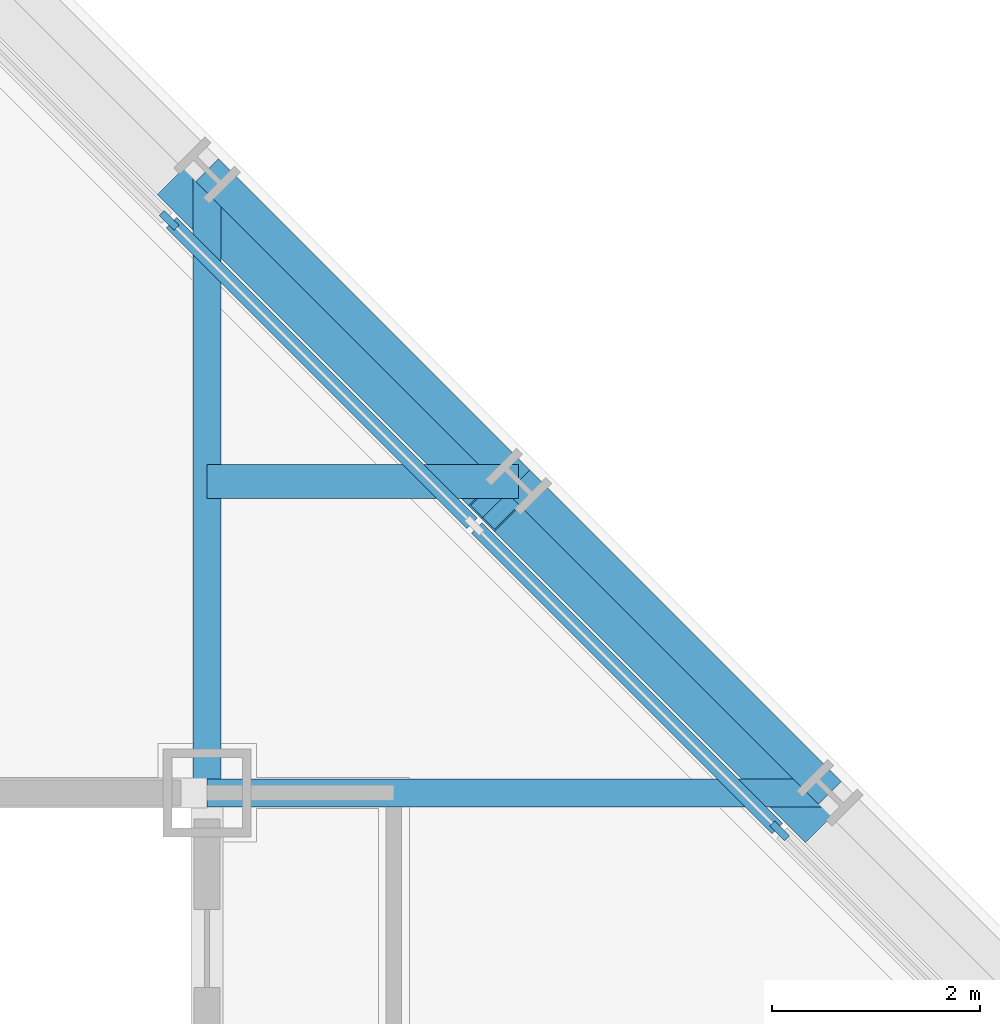
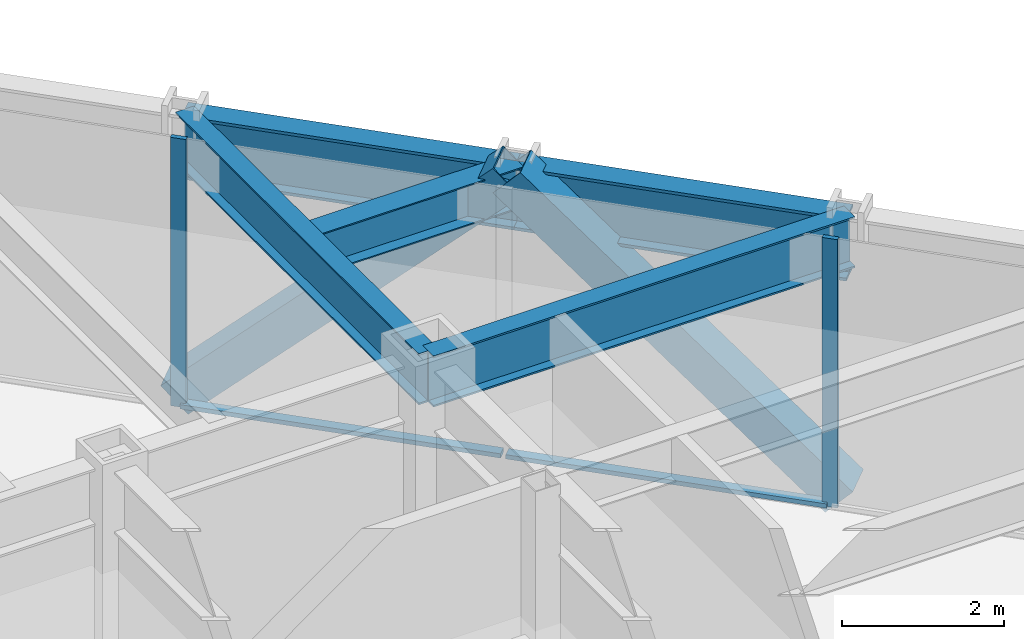
# One storey, part 8 of 16: 6 members, 5 beams, 1 element without a shape of its own.
"""IFC4 building model written with IfcOpenShell, lengths in metres."""

from ifc_helpers import new_model, si_unit, direction, frame, origin, origin_2d, place, context, subcontext, project, spatial, rectangle, hollow_rectangle, i_section, extrude, material, layer, layer_set, material_profile, profile_set, type_object, element, aggregate, save


model = new_model("IFC4")

# Units and contexts
model_context = context("Model", 3, precision=1e-05, world=origin(), true_north=direction((0.0, 1.0)))
body_context = subcontext(model_context, "Body", "Model", "MODEL_VIEW")
ifc_project = project(units=[si_unit("LENGTHUNIT", "METRE"), si_unit("AREAUNIT", "SQUARE_METRE"), si_unit("VOLUMEUNIT", "CUBIC_METRE"), si_unit("PLANEANGLEUNIT", "RADIAN"), si_unit("MASSUNIT", "GRAM", prefix="KILO")], contexts=[model_context])

# Site, building, storey
site_placement = place(None, origin())
site = spatial("IfcSite", under=ifc_project, at=site_placement, CompositionType="ELEMENT")
building_placement = place(site_placement, origin())
building = spatial("IfcBuilding", under=site, at=building_placement, Name="Chuquiago Exchange Tower", CompositionType="ELEMENT")
storey_placement = place(building_placement, frame((0.0, 0.0, 153.0)))
storey = spatial("IfcBuildingStorey", under=building, at=storey_placement, Name="L33", CompositionType="ELEMENT", Elevation=153.0)

# Beam
ifc_material_1 = material(Name="Steel ASTM A992", Category="steel")
ifc_material_profile_1 = material_profile(ifc_material_1, i_section(OverallWidth=0.3251953125, OverallDepth=0.612060546875, WebThickness=0.0126953125, FlangeThickness=0.01904296875, at=origin_2d()), Name="W24X104")
ifc_profile_set_1 = profile_set([ifc_material_profile_1], Name="Steel ASTM A992")
beam_type_1 = type_object("IfcBeamType", Name="B2 W24X104", PredefinedType="BEAM", material=ifc_profile_set_1)
beam_placement = place(storey_placement, frame((33.0, 36.0, 3.73388671875), z_axis=(1.0, 0.0, 0.0), x_axis=(0.0, 1.0, 0.0)))
element("IfcBeam", 1, at=beam_placement, inside=storey, type_object=beam_type_1, Name="FB-L34-corner-33_36-36_36-0", PredefinedType="BEAM", context=body_context, shape_type="SweptSolid", body=[
    extrude(i_section(OverallWidth=0.3251953125, OverallDepth=0.612060546875, WebThickness=0.0126953125, FlangeThickness=0.01904296875, at=origin_2d()), origin(), (0.0, 0.0, 1.0), 3.0),
])

# Curtain wall, members
ifc_material_2 = material(Name="Aluminium curtain wall system", Category="aluminium")
ifc_layer = layer(ifc_material_2, 0.199951171875)
ifc_layer_set = layer_set([ifc_layer], Name="CW3 facet curtain wall")
curtain_wall_type = type_object("IfcCurtainWallType", Name="CW3 facet curtain wall", PredefinedType="NOTDEFINED", material=ifc_layer_set)
curtain_wall_placement = place(storey_placement, origin())
curtain_wall = element("IfcCurtainWall", 2, at=curtain_wall_placement, inside=storey, type_object=curtain_wall_type, Name="CW3 curtain wall L33", PredefinedType="NOTDEFINED")
ifc_material_3 = material(Name="Aluminium mullion, pale anodised", Category="aluminium")
ifc_material_profile_2 = material_profile(ifc_material_3, rectangle(XDim=0.06494140625, YDim=0.199951171875, at=origin_2d()), Name="AL 65x200")
ifc_profile_set_2 = profile_set([ifc_material_profile_2], Name="Aluminium mullion, pale anodised")
member_type_1 = type_object("IfcMemberType", Name="CW3-M mullion 65x200", PredefinedType="MULLION", material=ifc_profile_set_2)
member_1_placement = place(storey_placement, frame((38.51708984375, 32.63427734375, 0.0), z_axis=(0.0, 0.0, 1.0), x_axis=(-0.707106781187, -0.707106781187, 0.0)))
member_1 = element("IfcMember", 3, at=member_1_placement, type_object=member_type_1, Name="CW3 mullion 3", PredefinedType="MULLION", context=body_context, shape_type="SweptSolid", body=[
    extrude(rectangle(XDim=0.06494140625, YDim=0.199951171875, at=origin_2d()), origin(), (0.0, 0.0, 1.0), 4.0400390625),
])
member_2_placement = place(storey_placement, frame((32.63427734375, 38.51708984375, 0.0), z_axis=(0.0, 0.0, 1.0), x_axis=(-0.707106781187, -0.707106781187, 0.0)))
member_2 = element("IfcMember", 4, at=member_2_placement, type_object=member_type_1, Name="CW3 mullion 5", PredefinedType="MULLION", context=body_context, shape_type="SweptSolid", body=[
    extrude(rectangle(XDim=0.06494140625, YDim=0.199951171875, at=origin_2d()), origin(), (0.0, 0.0, 1.0), 4.0400390625),
])
ifc_material_4 = material(Name="Aluminium transom, pale anodised", Category="aluminium")
ifc_material_profile_3 = material_profile(ifc_material_4, rectangle(XDim=0.139892578125, YDim=0.06494140625, at=origin_2d()), Name="AL 140x65")
ifc_profile_set_3 = profile_set([ifc_material_profile_3], Name="Aluminium transom, pale anodised")
member_type_2 = type_object("IfcMemberType", Name="CW3-T transom 65x140", PredefinedType="MULLION", material=ifc_profile_set_3)
member_3_placement = place(storey_placement, frame((38.494140625, 32.6572265625, 0.032470703125), z_axis=(-0.707106781187, 0.707106781187, 0.0), x_axis=(-0.707106781187, -0.707106781187, 0.0)))
member_3 = element("IfcMember", 5, at=member_3_placement, type_object=member_type_2, Name="CW3 transom 3.1", PredefinedType="MULLION", context=body_context, shape_type="SweptSolid", body=[
    extrude(rectangle(XDim=0.139892578125, YDim=0.06494140625, at=origin_2d()), origin(), (0.0, 0.0, 1.0), 4.094970703125),
])
member_4_placement = place(storey_placement, frame((35.552734375, 35.5986328125, 0.032470703125), z_axis=(-0.707106781187, 0.707106781187, 0.0), x_axis=(-0.707106781187, -0.707106781187, 0.0)))
member_4 = element("IfcMember", 6, at=member_4_placement, type_object=member_type_2, Name="CW3 transom 4.1", PredefinedType="MULLION", context=body_context, shape_type="SweptSolid", body=[
    extrude(rectangle(XDim=0.139892578125, YDim=0.06494140625, at=origin_2d()), origin(), (0.0, 0.0, 1.0), 4.094970703125),
])
aggregate(curtain_wall, [member_1, member_2, member_3, member_4])

# Beams
ifc_material_5 = material(Name="Steel ASTM A992", Category="steel")
ifc_material_profile_4 = material_profile(ifc_material_5, i_section(OverallWidth=0.2666015625, OverallDepth=0.76953125, WebThickness=0.015625, FlangeThickness=0.025390625, at=origin_2d()), Name="W30X132")
ifc_profile_set_4 = profile_set([ifc_material_profile_4], Name="Steel ASTM A992")
beam_type_2 = type_object("IfcBeamType", Name="G1 W30X132", PredefinedType="BEAM", material=ifc_profile_set_4)
for number, where, z_axis, x_axis, name in (
    (7, (33.0, 33.0, 3.6552734375), (0.0, 1.0, 0.0), (-1.0, 0.0, 0.0), "FB-L34-girder-33_33-33_39-0"),
    (8, (33.0, 33.0, 3.6552734375), (1.0, 0.0, 0.0), (0.0, 1.0, 0.0), "FB-L34-girder-33_33-39_33-0"),
):
    element("IfcBeam", number, at=place(storey_placement, frame(where, z_axis=z_axis, x_axis=x_axis)), inside=storey, type_object=beam_type_2, Name=name, PredefinedType="BEAM", context=body_context, shape_type="SweptSolid", body=[
        extrude(i_section(OverallWidth=0.2666015625, OverallDepth=0.76953125, WebThickness=0.015625, FlangeThickness=0.025390625, at=origin_2d()), origin(), (0.0, 0.0, 1.0), 6.0),
    ])

# Members
ifc_material_6 = material(Name="Steel ASTM A500 Grade C", Category="steel")
ifc_material_profile_5 = material_profile(ifc_material_6, hollow_rectangle(XDim=0.508056640625, YDim=0.508056640625, WallThickness=0.017822265625, at=origin_2d()), Name="HSS20X20X3/4")
ifc_profile_set_5 = profile_set([ifc_material_profile_5], Name="Steel ASTM A500 Grade C")
member_type_3 = type_object("IfcMemberType", Name="LB1 HSS20X20X3/4", PredefinedType="BRACE", material=ifc_profile_set_5)
for number, where, z_axis, x_axis, name in (
    (9, (38.822509765625, 32.822509765625, 0.0), (-0.512077265487, 0.512077265487, 0.689604051861), (-0.707106781187, -0.707106781187, 0.0), "LB-L33-39_33-36_36"),
    (10, (32.822509765625, 38.822509765625, 0.0), (0.512077265487, -0.512077265487, 0.689604051861), (0.707106781187, 0.707106781187, 0.0), "LB-L33-36_36-33_39"),
):
    element("IfcMember", number, at=place(storey_placement, frame(where, z_axis=z_axis, x_axis=x_axis)), inside=storey, type_object=member_type_3, Name=name, PredefinedType="BRACE", context=body_context, shape_type="SweptSolid", body=[
        extrude(hollow_rectangle(XDim=0.508056640625, YDim=0.508056640625, WallThickness=0.017822265625, at=origin_2d()), origin(), (0.0, 0.0, 1.0), 5.8583984375),
    ])

# Beams
ifc_material_7 = material(Name="Steel ASTM A992", Category="steel")
ifc_material_profile_6 = material_profile(ifc_material_7, i_section(OverallWidth=0.309814453125, OverallDepth=0.949951171875, WebThickness=0.0244140625, FlangeThickness=0.0439453125, at=origin_2d()), Name="W36X256")
ifc_profile_set_6 = profile_set([ifc_material_profile_6], Name="Steel ASTM A992")
beam_type_3 = type_object("IfcBeamType", Name="SP2 W36X256", PredefinedType="SPANDREL", material=ifc_profile_set_6)
for number, where, z_axis, x_axis, name in (
    (11, (39.0, 33.0, 3.56494140625), (-0.707106781187, 0.707106781187, 0.0), (-0.707106781187, -0.707106781187, 0.0), "SPB-L34-39_33-36_36"),
    (12, (36.0, 36.0, 3.56494140625), (-0.707106781187, 0.707106781187, 0.0), (-0.707106781187, -0.707106781187, 0.0), "SPB-L34-36_36-33_39"),
):
    element("IfcBeam", number, at=place(storey_placement, frame(where, z_axis=z_axis, x_axis=x_axis)), inside=storey, type_object=beam_type_3, Name=name, PredefinedType="SPANDREL", context=body_context, shape_type="SweptSolid", body=[
        extrude(i_section(OverallWidth=0.309814453125, OverallDepth=0.949951171875, WebThickness=0.0244140625, FlangeThickness=0.0439453125, at=origin_2d()), origin(), (0.0, 0.0, 1.0), 4.24267578125),
    ])

save(model, "model.ifc")
